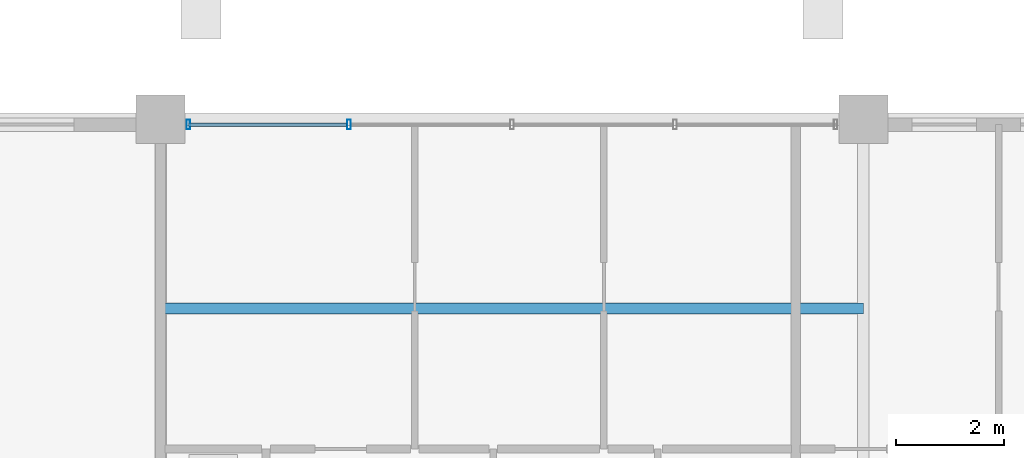
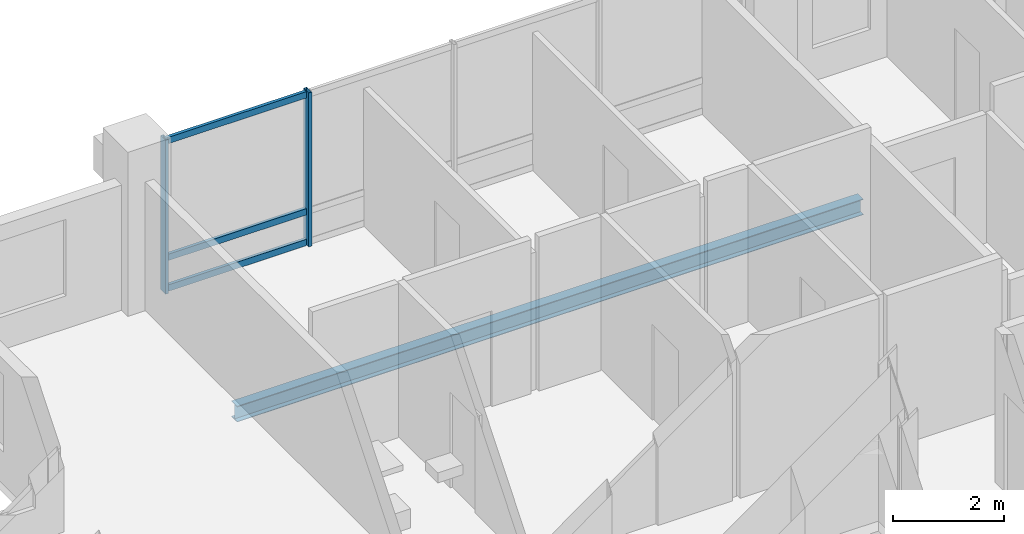
# One storey, part 12 of 21: 5 members, 1 beam, 1 element without a shape of its own.
"""IFC4 building model written with IfcOpenShell, lengths in metres."""

import ifcopenshell
import ifcopenshell.guid

model = None  # the IFC model being written
_history = None  # IfcOwnerHistory: only IFC2X3 demands one
_inside = {}  # id of a spatial element -> (the spatial element, [elements in it])
_under = {}  # id of a project, library or spatial element -> (it, [spatial elements below it])
_declared = {}  # id of a project -> (the project, [libraries it declares])
_typed = {}  # id of a type object -> (the type object, [elements of that type])
_made_of = {}  # id of a material, layer set ... -> (it, [elements and type objects made of it])


def new_model(schema):
    """Start an empty IFC model of exactly this schema.

    Asked for "IFC4X3", IfcOpenShell would pick the latest addendum, in which some entities
    have other attributes; the version numbers below select the first issue.
    IFC2X3 requires an IfcOwnerHistory on every rooted entity: one is made here for all.
    """
    global model, _history
    if schema == "IFC4X3":
        model = ifcopenshell.file(schema_version=(4, 3, 0, 0))
    else:
        model = ifcopenshell.file(schema=schema)
    _inside.clear()
    _under.clear()
    _declared.clear()
    _typed.clear()
    _made_of.clear()
    _history = None
    if model.schema == "IFC2X3":
        org = make("IfcOrganization", Name="unknown")
        user = make(
            "IfcPersonAndOrganization",
            ThePerson=make("IfcPerson", FamilyName="unknown"),
            TheOrganization=org,
        )
        app = make(
            "IfcApplication",
            ApplicationDeveloper=org,
            Version="unknown",
            ApplicationFullName="unknown",
            ApplicationIdentifier="unknown",
        )
        _history = make(
            "IfcOwnerHistory",
            OwningUser=user,
            OwningApplication=app,
            ChangeAction="ADDED",
            CreationDate=0,
        )
    return model


def make(cls, **values):
    """One entity of the class cls with the attributes given. An attribute that is None is left unset."""
    return model.create_entity(
        cls, **{name: value for name, value in values.items() if value is not None}
    )


def rooted(cls, **values):
    """An entity with a GlobalId (a new one), such as an element, a storey or a relation."""
    return make(cls, GlobalId=ifcopenshell.guid.new(), OwnerHistory=_history, **values)


def si_unit(unit_type, name, prefix=None):
    """IfcSIUnit, for example si_unit("LENGTHUNIT", "METRE", prefix="MILLI")."""
    return make("IfcSIUnit", UnitType=unit_type, Prefix=prefix, Name=name)


def assignment(units):
    """IfcUnitAssignment: the units of a project."""
    return None if units is None else make("IfcUnitAssignment", Units=units)


def point(xyz):
    """IfcCartesianPoint."""
    return None if xyz is None else make("IfcCartesianPoint", Coordinates=xyz)


def direction(xyz):
    """IfcDirection."""
    return None if xyz is None else make("IfcDirection", DirectionRatios=xyz)


def frame(location, z_axis=None, x_axis=None):
    """IfcAxis2Placement3D, a coordinate frame: its origin and axes. An axis left out is left unset."""
    return make(
        "IfcAxis2Placement3D",
        Location=point(location),
        Axis=direction(z_axis),
        RefDirection=direction(x_axis),
    )


def frame_2d(location, x_axis=None):
    """IfcAxis2Placement2D, a coordinate frame in the plane: its origin and x axis."""
    return make(
        "IfcAxis2Placement2D", Location=point(location), RefDirection=direction(x_axis)
    )


def origin():
    """The frame at (0, 0, 0) with its axes left unset."""
    return frame((0.0, 0.0, 0.0))


def origin_2d():
    """The frame at (0, 0) in the plane with its x axis left unset."""
    return frame_2d((0.0, 0.0))


def place(relative_to, where):
    """IfcLocalPlacement: puts the frame where relative to a parent placement (None: the world)."""
    return make(
        "IfcLocalPlacement", PlacementRelTo=relative_to, RelativePlacement=where
    )


def context(
    kind, dimensions, precision=None, world=None, true_north=None, identifier=None
):
    """IfcGeometricRepresentationContext, for example the 3D "Model" context."""
    return make(
        "IfcGeometricRepresentationContext",
        ContextIdentifier=identifier,
        ContextType=kind,
        CoordinateSpaceDimension=dimensions,
        Precision=precision,
        WorldCoordinateSystem=world,
        TrueNorth=true_north,
    )


def subcontext(parent, identifier, kind, view, scale=None):
    """IfcGeometricRepresentationSubContext, for example "Body" below "Model"."""
    return make(
        "IfcGeometricRepresentationSubContext",
        ContextIdentifier=identifier,
        ContextType=kind,
        ParentContext=parent,
        TargetScale=scale,
        TargetView=view,
    )


def project(units=None, contexts=None):
    """IfcProject with its units and contexts."""
    return rooted(
        "IfcProject",
        Name="project",
        RepresentationContexts=contexts,
        UnitsInContext=assignment(units),
    )


def spatial(cls, under=None, at=None, **own):
    """A site, building, storey or space (cls), placed at a placement, below another one or the project."""
    s = rooted(cls, ObjectPlacement=at, **own)
    if under is not None:
        _under.setdefault(under.id(), (under, []))[1].append(s)
    return s


def profile(cls, at=None, kind="AREA", **sizes):
    """A parametric profile (cls). Its sizes go by their IFC names, for example OverallWidth=200.0."""
    return make(cls, ProfileType=kind, Position=at, **sizes)


def hollow_rectangle(**sizes):
    """IfcRectangleHollowProfileDef."""
    return profile("IfcRectangleHollowProfileDef", **sizes)


def i_section(**sizes):
    """IfcIShapeProfileDef."""
    return profile("IfcIShapeProfileDef", **sizes)


def extrude(swept, where, along, depth):
    """IfcExtrudedAreaSolid: the profile swept, set in the frame where, extruded along a direction by depth."""
    return make(
        "IfcExtrudedAreaSolid",
        SweptArea=swept,
        Position=where,
        ExtrudedDirection=direction(along),
        Depth=depth,
    )


def shape(context_of_items, identifier, shape_type, items):
    """IfcShapeRepresentation: the items that make up one representation, for example the "Body"."""
    return make(
        "IfcShapeRepresentation",
        ContextOfItems=context_of_items,
        RepresentationIdentifier=identifier,
        RepresentationType=shape_type,
        Items=items,
    )


def material(Name=None, Category=None):
    """IfcMaterial."""
    return make("IfcMaterial", Name=Name, Category=Category)


def layer(
    of_material, thickness, ventilated=None, Name=None, Category=None, Priority=None
):
    """IfcMaterialLayer: one layer of a wall or slab, of a material (None: an air gap)."""
    return make(
        "IfcMaterialLayer",
        Material=of_material,
        LayerThickness=thickness,
        IsVentilated=ventilated,
        Name=Name,
        Category=Category,
        Priority=Priority,
    )


def layer_set(layers, Name=None):
    """IfcMaterialLayerSet."""
    return make("IfcMaterialLayerSet", MaterialLayers=layers, LayerSetName=Name)


def material_profile(
    of_material, cross_section, Name=None, Category=None, Priority=None
):
    """IfcMaterialProfile: a cross section and its material."""
    return make(
        "IfcMaterialProfile",
        Name=Name,
        Material=of_material,
        Profile=cross_section,
        Priority=Priority,
        Category=Category,
    )


def profile_set(profiles, Name=None, composite=None):
    """IfcMaterialProfileSet."""
    return make(
        "IfcMaterialProfileSet",
        Name=Name,
        MaterialProfiles=profiles,
        CompositeProfile=composite,
    )


def made_of(thing, what):
    """Note that an element or type object is made of a material, layer set ...; save() writes the relation."""
    if what is not None:
        _made_of.setdefault(what.id(), (what, []))[1].append(thing)
    return thing


def type_object(cls, material=None, **own):
    """A type object (cls), such as IfcWallType, which elements share."""
    return made_of(rooted(cls, **own), material)


def element(
    cls,
    number,
    at=None,
    inside=None,
    cuts=None,
    type_object=None,
    material=None,
    context=None,
    identifier="Body",
    shape_type=None,
    held_by="IfcProductDefinitionShape",
    body=None,
    shapes=None,
    **own,
):
    """One element of the class cls, such as IfcWall. Its Tag is "e" and its number.

    at: its placement. inside: the storey or other place that contains it. cuts: it is an
    opening in that element (IfcRelVoidsElement). A single representation is given by context,
    identifier, shape_type and body (its items); several are given by shapes. held_by: the class
    of the entity that holds the representations. save() writes the other relations.
    """
    e = rooted(cls, Tag="e%d" % number, ObjectPlacement=at, **own)
    if body is not None:
        shapes = [shape(context, identifier, shape_type, body)]
    if shapes is not None:
        e.Representation = make(held_by, Representations=shapes)
    if inside is not None:
        _inside.setdefault(inside.id(), (inside, []))[1].append(e)
    if cuts is not None:
        rooted(
            "IfcRelVoidsElement", RelatingBuildingElement=cuts, RelatedOpeningElement=e
        )
    if type_object is not None:
        _typed.setdefault(type_object.id(), (type_object, []))[1].append(e)
    return made_of(e, material)


def aggregate(whole, parts):
    """IfcRelAggregates: a whole, such as a stair, and the parts it consists of."""
    return rooted("IfcRelAggregates", RelatingObject=whole, RelatedObjects=parts)


def save(model, path):
    """Write the relations noted so far, then the file.

    IfcRelAggregates (storeys below a building ...), IfcRelContainedInSpatialStructure (elements
    in a storey), IfcRelDefinesByType, IfcRelAssociatesMaterial and IfcRelDeclares: one each for
    every whole, place, type object, material and project.
    """
    for whole, parts in _under.values():
        aggregate(whole, parts)
    for where, things in _inside.values():
        rooted(
            "IfcRelContainedInSpatialStructure",
            RelatedElements=things,
            RelatingStructure=where,
        )
    for kind, things in _typed.values():
        rooted("IfcRelDefinesByType", RelatedObjects=things, RelatingType=kind)
    for what, things in _made_of.values():
        rooted("IfcRelAssociatesMaterial", RelatedObjects=things, RelatingMaterial=what)
    for by, libraries in _declared.values():
        rooted("IfcRelDeclares", RelatingContext=by, RelatedDefinitions=libraries)
    model.write(path)


model = new_model("IFC4")

# Units and contexts
model_context = context("Model", 3, precision=1e-05, world=origin(), true_north=direction((0.0, 1.0)))
body_context = subcontext(model_context, "Body", "Model", "MODEL_VIEW")
ifc_project = project(units=[si_unit("LENGTHUNIT", "METRE"), si_unit("AREAUNIT", "SQUARE_METRE"), si_unit("VOLUMEUNIT", "CUBIC_METRE"), si_unit("PLANEANGLEUNIT", "RADIAN"), si_unit("MASSUNIT", "GRAM", prefix="KILO")], contexts=[model_context])

# Site, building, storey
site_placement = place(None, origin())
site = spatial("IfcSite", under=ifc_project, at=site_placement, CompositionType="ELEMENT")
building_placement = place(site_placement, origin())
building = spatial("IfcBuilding", under=site, at=building_placement, Name="Barlavira Tower and Art Museum", CompositionType="ELEMENT")
storey_placement = place(building_placement, frame((0.0, 0.0, 276.300048828125)))
storey = spatial("IfcBuildingStorey", under=building, at=storey_placement, Name="L72", CompositionType="ELEMENT", Elevation=276.300048828125)

# Curtain wall, members
ifc_material_1 = material(Name="Low-iron coastal laminated glass", Category="glass")
ifc_layer = layer(ifc_material_1, 0.2099609375, Name="Low-iron coastal laminated glass")
ifc_layer_set = layer_set([ifc_layer], Name="Low-iron coastal laminated glass")
curtain_wall_type = type_object("IfcCurtainWallType", Name="Pale-Metal Unitised Curtain Wall Zone 4", PredefinedType="NOTDEFINED", material=ifc_layer_set)
curtain_wall_placement = place(storey_placement, origin())
curtain_wall = element("IfcCurtainWall", 1, at=curtain_wall_placement, inside=storey, type_object=curtain_wall_type, Name="L72 Curtain Wall CW4-L72-N-B2", PredefinedType="NOTDEFINED")
ifc_material_2 = material(Name="Pale anodised aluminium", Category="aluminium")
ifc_material_profile_1 = material_profile(ifc_material_2, hollow_rectangle(XDim=0.06494140625, YDim=0.179931640625, WallThickness=0.00390625, at=origin_2d()), Name="ALU-MULL 65x180x4")
ifc_profile_set_1 = profile_set([ifc_material_profile_1], Name="Pale anodised aluminium")
member_type_1 = type_object("IfcMemberType", Name="Curtain Wall Pale-Metal Mullion 65x180", PredefinedType="MULLION", material=ifc_profile_set_1)
member_1_placement = place(storey_placement, frame((-3.014892578125, 19.89990234375, 0.0), z_axis=(0.0, 0.0, 1.0), x_axis=(-1.0, 0.0, 0.0)))
member_1 = element("IfcMember", 2, at=member_1_placement, type_object=member_type_1, Name="CW4-L72-N-B2 Mullion 3", PredefinedType="MULLION", context=body_context, shape_type="SweptSolid", body=[
    extrude(hollow_rectangle(XDim=0.06494140625, YDim=0.179931640625, WallThickness=0.00390625, at=origin_2d()), origin(), (0.0, 0.0, 1.0), 3.3798828125),
])
member_2_placement = place(storey_placement, frame((-5.985107421875, 19.89990234375, 0.0), z_axis=(0.0, 0.0, 1.0), x_axis=(-1.0, 0.0, 0.0)))
member_2 = element("IfcMember", 3, at=member_2_placement, type_object=member_type_1, Name="CW4-L72-N-B2 Mullion 4", PredefinedType="MULLION", context=body_context, shape_type="SweptSolid", body=[
    extrude(hollow_rectangle(XDim=0.06494140625, YDim=0.179931640625, WallThickness=0.00390625, at=origin_2d()), origin(), (0.0, 0.0, 1.0), 3.3798828125),
])
ifc_material_profile_2 = material_profile(ifc_material_2, hollow_rectangle(XDim=0.06494140625, YDim=0.139892578125, WallThickness=0.00390625, at=origin_2d()), Name="ALU-TRAN 65x140x4")
ifc_profile_set_2 = profile_set([ifc_material_profile_2], Name="Pale anodised aluminium")
member_type_2 = type_object("IfcMemberType", Name="Curtain Wall Pale-Metal Transom 65x140", PredefinedType="USERDEFINED", material=ifc_profile_set_2)
member_3_placement = place(storey_placement, frame((-3.06005859375, 19.89990234375, 0.070068359375), z_axis=(-1.0, 0.0, 0.0), x_axis=(0.0, -1.0, 0.0)))
member_3 = element("IfcMember", 4, at=member_3_placement, type_object=member_type_2, Name="CW4-L72-N-B2 Transom 3.1", ObjectType="TRANSOM", PredefinedType="USERDEFINED", context=body_context, shape_type="SweptSolid", body=[
    extrude(hollow_rectangle(XDim=0.06494140625, YDim=0.139892578125, WallThickness=0.00390625, at=origin_2d()), origin(), (0.0, 0.0, 1.0), 2.925048828125),
])
member_4_placement = place(storey_placement, frame((-3.06005859375, 19.89990234375, 0.743896484375), z_axis=(-1.0, 0.0, 0.0), x_axis=(0.0, -1.0, 0.0)))
member_4 = element("IfcMember", 5, at=member_4_placement, type_object=member_type_2, Name="CW4-L72-N-B2 Transom 3.2", ObjectType="TRANSOM", PredefinedType="USERDEFINED", context=body_context, shape_type="SweptSolid", body=[
    extrude(hollow_rectangle(XDim=0.06494140625, YDim=0.139892578125, WallThickness=0.00390625, at=origin_2d()), origin(), (0.0, 0.0, 1.0), 2.925048828125),
])
member_5_placement = place(storey_placement, frame((-3.06005859375, 19.89990234375, 3.31005859375), z_axis=(-1.0, 0.0, 0.0), x_axis=(0.0, -1.0, 0.0)))
member_5 = element("IfcMember", 6, at=member_5_placement, type_object=member_type_2, Name="CW4-L72-N-B2 Transom 3.3", ObjectType="TRANSOM", PredefinedType="USERDEFINED", context=body_context, shape_type="SweptSolid", body=[
    extrude(hollow_rectangle(XDim=0.06494140625, YDim=0.139892578125, WallThickness=0.00390625, at=origin_2d()), origin(), (0.0, 0.0, 1.0), 2.925048828125),
])
aggregate(curtain_wall, [member_1, member_2, member_3, member_4, member_5])

# Beam
ifc_material_3 = material(Name="Steel S355", Category="steel")
ifc_material_profile_3 = material_profile(ifc_material_3, i_section(OverallWidth=0.202880859375, OverallDepth=0.346923828125, WebThickness=0.0078125, FlangeThickness=0.013427734375, at=origin_2d()), Name="W360x64.0")
ifc_profile_set_3 = profile_set([ifc_material_profile_3], Name="Steel S355")
beam_type = type_object("IfcBeamType", Name="Zone 4 Composite Floor Joist W360x64 Steel S355", PredefinedType="JOIST", material=ifc_profile_set_3)
beam_placement = place(storey_placement, frame((-6.5, 16.5, -0.3935546875), z_axis=(1.0, 0.0, 0.0), x_axis=(0.0, 1.0, 0.0)))
element("IfcBeam", 7, at=beam_placement, inside=storey, type_object=beam_type, Name="L72 Joist C2", PredefinedType="JOIST", context=body_context, shape_type="SweptSolid", body=[
    extrude(i_section(OverallWidth=0.202880859375, OverallDepth=0.346923828125, WebThickness=0.0078125, FlangeThickness=0.013427734375, at=origin_2d()), origin(), (0.0, 0.0, 1.0), 13.0),
])

save(model, "model.ifc")
